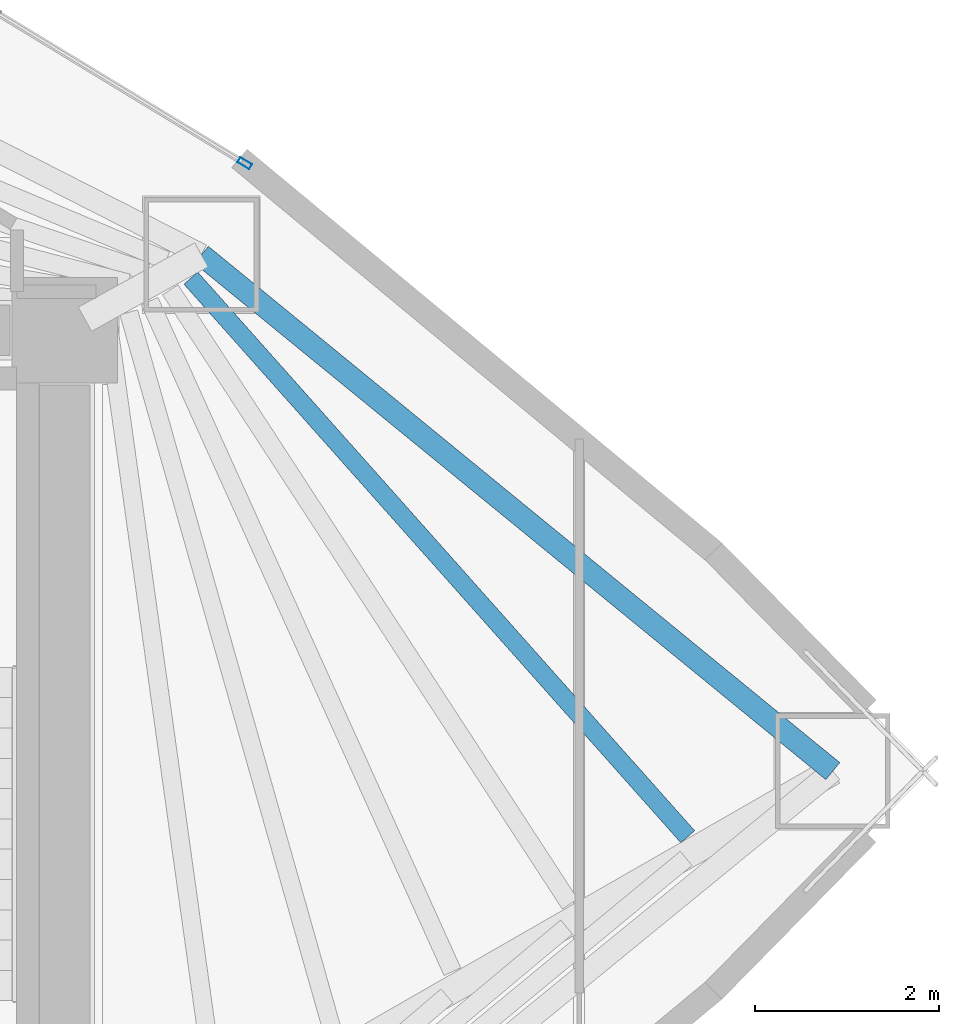
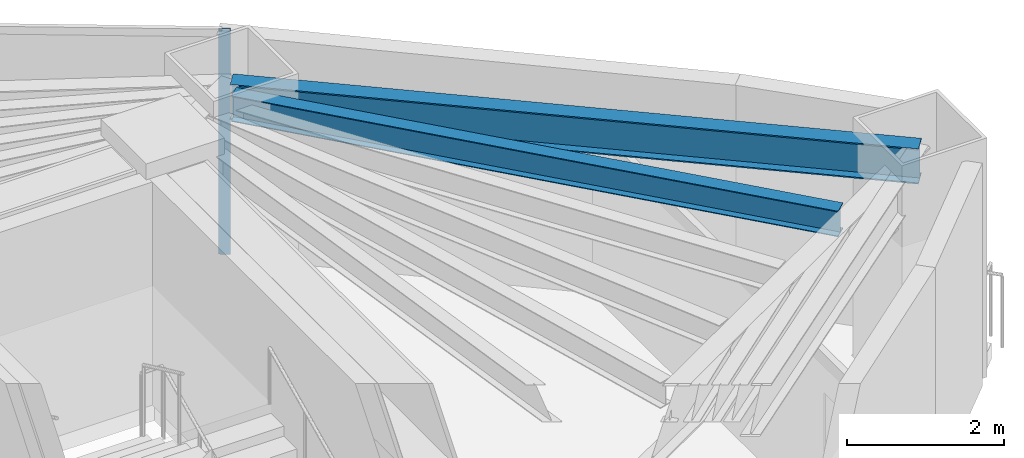
# One storey, part 12 of 18: 2 beams, 1 member, 1 element without a shape of its own.
"""IFC4 building model written with IfcOpenShell, lengths in metres."""

import ifcopenshell
import ifcopenshell.guid

model = None  # the IFC model being written
_history = None  # IfcOwnerHistory: only IFC2X3 demands one
_inside = {}  # id of a spatial element -> (the spatial element, [elements in it])
_under = {}  # id of a project, library or spatial element -> (it, [spatial elements below it])
_declared = {}  # id of a project -> (the project, [libraries it declares])
_typed = {}  # id of a type object -> (the type object, [elements of that type])
_made_of = {}  # id of a material, layer set ... -> (it, [elements and type objects made of it])


def new_model(schema):
    """Start an empty IFC model of exactly this schema.

    Asked for "IFC4X3", IfcOpenShell would pick the latest addendum, in which some entities
    have other attributes; the version numbers below select the first issue.
    IFC2X3 requires an IfcOwnerHistory on every rooted entity: one is made here for all.
    """
    global model, _history
    if schema == "IFC4X3":
        model = ifcopenshell.file(schema_version=(4, 3, 0, 0))
    else:
        model = ifcopenshell.file(schema=schema)
    _inside.clear()
    _under.clear()
    _declared.clear()
    _typed.clear()
    _made_of.clear()
    _history = None
    if model.schema == "IFC2X3":
        org = make("IfcOrganization", Name="unknown")
        user = make(
            "IfcPersonAndOrganization",
            ThePerson=make("IfcPerson", FamilyName="unknown"),
            TheOrganization=org,
        )
        app = make(
            "IfcApplication",
            ApplicationDeveloper=org,
            Version="unknown",
            ApplicationFullName="unknown",
            ApplicationIdentifier="unknown",
        )
        _history = make(
            "IfcOwnerHistory",
            OwningUser=user,
            OwningApplication=app,
            ChangeAction="ADDED",
            CreationDate=0,
        )
    return model


def make(cls, **values):
    """One entity of the class cls with the attributes given. An attribute that is None is left unset."""
    return model.create_entity(
        cls, **{name: value for name, value in values.items() if value is not None}
    )


def rooted(cls, **values):
    """An entity with a GlobalId (a new one), such as an element, a storey or a relation."""
    return make(cls, GlobalId=ifcopenshell.guid.new(), OwnerHistory=_history, **values)


def si_unit(unit_type, name, prefix=None):
    """IfcSIUnit, for example si_unit("LENGTHUNIT", "METRE", prefix="MILLI")."""
    return make("IfcSIUnit", UnitType=unit_type, Prefix=prefix, Name=name)


def assignment(units):
    """IfcUnitAssignment: the units of a project."""
    return None if units is None else make("IfcUnitAssignment", Units=units)


def point(xyz):
    """IfcCartesianPoint."""
    return None if xyz is None else make("IfcCartesianPoint", Coordinates=xyz)


def direction(xyz):
    """IfcDirection."""
    return None if xyz is None else make("IfcDirection", DirectionRatios=xyz)


def frame(location, z_axis=None, x_axis=None):
    """IfcAxis2Placement3D, a coordinate frame: its origin and axes. An axis left out is left unset."""
    return make(
        "IfcAxis2Placement3D",
        Location=point(location),
        Axis=direction(z_axis),
        RefDirection=direction(x_axis),
    )


def frame_2d(location, x_axis=None):
    """IfcAxis2Placement2D, a coordinate frame in the plane: its origin and x axis."""
    return make(
        "IfcAxis2Placement2D", Location=point(location), RefDirection=direction(x_axis)
    )


def origin():
    """The frame at (0, 0, 0) with its axes left unset."""
    return frame((0.0, 0.0, 0.0))


def origin_2d():
    """The frame at (0, 0) in the plane with its x axis left unset."""
    return frame_2d((0.0, 0.0))


def place(relative_to, where):
    """IfcLocalPlacement: puts the frame where relative to a parent placement (None: the world)."""
    return make(
        "IfcLocalPlacement", PlacementRelTo=relative_to, RelativePlacement=where
    )


def context(
    kind, dimensions, precision=None, world=None, true_north=None, identifier=None
):
    """IfcGeometricRepresentationContext, for example the 3D "Model" context."""
    return make(
        "IfcGeometricRepresentationContext",
        ContextIdentifier=identifier,
        ContextType=kind,
        CoordinateSpaceDimension=dimensions,
        Precision=precision,
        WorldCoordinateSystem=world,
        TrueNorth=true_north,
    )


def subcontext(parent, identifier, kind, view, scale=None):
    """IfcGeometricRepresentationSubContext, for example "Body" below "Model"."""
    return make(
        "IfcGeometricRepresentationSubContext",
        ContextIdentifier=identifier,
        ContextType=kind,
        ParentContext=parent,
        TargetScale=scale,
        TargetView=view,
    )


def project(units=None, contexts=None):
    """IfcProject with its units and contexts."""
    return rooted(
        "IfcProject",
        Name="project",
        RepresentationContexts=contexts,
        UnitsInContext=assignment(units),
    )


def spatial(cls, under=None, at=None, **own):
    """A site, building, storey or space (cls), placed at a placement, below another one or the project."""
    s = rooted(cls, ObjectPlacement=at, **own)
    if under is not None:
        _under.setdefault(under.id(), (under, []))[1].append(s)
    return s


def profile(cls, at=None, kind="AREA", **sizes):
    """A parametric profile (cls). Its sizes go by their IFC names, for example OverallWidth=200.0."""
    return make(cls, ProfileType=kind, Position=at, **sizes)


def hollow_rectangle(**sizes):
    """IfcRectangleHollowProfileDef."""
    return profile("IfcRectangleHollowProfileDef", **sizes)


def i_section(**sizes):
    """IfcIShapeProfileDef."""
    return profile("IfcIShapeProfileDef", **sizes)


def extrude(swept, where, along, depth):
    """IfcExtrudedAreaSolid: the profile swept, set in the frame where, extruded along a direction by depth."""
    return make(
        "IfcExtrudedAreaSolid",
        SweptArea=swept,
        Position=where,
        ExtrudedDirection=direction(along),
        Depth=depth,
    )


def shape(context_of_items, identifier, shape_type, items):
    """IfcShapeRepresentation: the items that make up one representation, for example the "Body"."""
    return make(
        "IfcShapeRepresentation",
        ContextOfItems=context_of_items,
        RepresentationIdentifier=identifier,
        RepresentationType=shape_type,
        Items=items,
    )


def material(Name=None, Category=None):
    """IfcMaterial."""
    return make("IfcMaterial", Name=Name, Category=Category)


def layer(
    of_material, thickness, ventilated=None, Name=None, Category=None, Priority=None
):
    """IfcMaterialLayer: one layer of a wall or slab, of a material (None: an air gap)."""
    return make(
        "IfcMaterialLayer",
        Material=of_material,
        LayerThickness=thickness,
        IsVentilated=ventilated,
        Name=Name,
        Category=Category,
        Priority=Priority,
    )


def layer_set(layers, Name=None):
    """IfcMaterialLayerSet."""
    return make("IfcMaterialLayerSet", MaterialLayers=layers, LayerSetName=Name)


def material_profile(
    of_material, cross_section, Name=None, Category=None, Priority=None
):
    """IfcMaterialProfile: a cross section and its material."""
    return make(
        "IfcMaterialProfile",
        Name=Name,
        Material=of_material,
        Profile=cross_section,
        Priority=Priority,
        Category=Category,
    )


def profile_set(profiles, Name=None, composite=None):
    """IfcMaterialProfileSet."""
    return make(
        "IfcMaterialProfileSet",
        Name=Name,
        MaterialProfiles=profiles,
        CompositeProfile=composite,
    )


def made_of(thing, what):
    """Note that an element or type object is made of a material, layer set ...; save() writes the relation."""
    if what is not None:
        _made_of.setdefault(what.id(), (what, []))[1].append(thing)
    return thing


def type_object(cls, material=None, **own):
    """A type object (cls), such as IfcWallType, which elements share."""
    return made_of(rooted(cls, **own), material)


def element(
    cls,
    number,
    at=None,
    inside=None,
    cuts=None,
    type_object=None,
    material=None,
    context=None,
    identifier="Body",
    shape_type=None,
    held_by="IfcProductDefinitionShape",
    body=None,
    shapes=None,
    **own,
):
    """One element of the class cls, such as IfcWall. Its Tag is "e" and its number.

    at: its placement. inside: the storey or other place that contains it. cuts: it is an
    opening in that element (IfcRelVoidsElement). A single representation is given by context,
    identifier, shape_type and body (its items); several are given by shapes. held_by: the class
    of the entity that holds the representations. save() writes the other relations.
    """
    e = rooted(cls, Tag="e%d" % number, ObjectPlacement=at, **own)
    if body is not None:
        shapes = [shape(context, identifier, shape_type, body)]
    if shapes is not None:
        e.Representation = make(held_by, Representations=shapes)
    if inside is not None:
        _inside.setdefault(inside.id(), (inside, []))[1].append(e)
    if cuts is not None:
        rooted(
            "IfcRelVoidsElement", RelatingBuildingElement=cuts, RelatedOpeningElement=e
        )
    if type_object is not None:
        _typed.setdefault(type_object.id(), (type_object, []))[1].append(e)
    return made_of(e, material)


def aggregate(whole, parts):
    """IfcRelAggregates: a whole, such as a stair, and the parts it consists of."""
    return rooted("IfcRelAggregates", RelatingObject=whole, RelatedObjects=parts)


def save(model, path):
    """Write the relations noted so far, then the file.

    IfcRelAggregates (storeys below a building ...), IfcRelContainedInSpatialStructure (elements
    in a storey), IfcRelDefinesByType, IfcRelAssociatesMaterial and IfcRelDeclares: one each for
    every whole, place, type object, material and project.
    """
    for whole, parts in _under.values():
        aggregate(whole, parts)
    for where, things in _inside.values():
        rooted(
            "IfcRelContainedInSpatialStructure",
            RelatedElements=things,
            RelatingStructure=where,
        )
    for kind, things in _typed.values():
        rooted("IfcRelDefinesByType", RelatedObjects=things, RelatingType=kind)
    for what, things in _made_of.values():
        rooted("IfcRelAssociatesMaterial", RelatedObjects=things, RelatingMaterial=what)
    for by, libraries in _declared.values():
        rooted("IfcRelDeclares", RelatingContext=by, RelatedDefinitions=libraries)
    model.write(path)


model = new_model("IFC4")

# Units and contexts
model_context = context("Model", 3, precision=1e-05, world=origin(), true_north=direction((0.0, 1.0)))
body_context = subcontext(model_context, "Body", "Model", "MODEL_VIEW")
ifc_project = project(units=[si_unit("LENGTHUNIT", "METRE"), si_unit("AREAUNIT", "SQUARE_METRE"), si_unit("VOLUMEUNIT", "CUBIC_METRE"), si_unit("PLANEANGLEUNIT", "RADIAN"), si_unit("MASSUNIT", "GRAM", prefix="KILO")], contexts=[model_context])

# Site, building, storey
site_placement = place(None, origin())
site = spatial("IfcSite", under=ifc_project, at=site_placement, CompositionType="ELEMENT")
building_placement = place(site_placement, origin())
building = spatial("IfcBuilding", under=site, at=building_placement, Name="Menara Vayukalpa", CompositionType="ELEMENT")
storey_placement = place(building_placement, frame((0.0, 0.0, 130.02001953125)))
storey = spatial("IfcBuildingStorey", under=building, at=storey_placement, Name="L32", CompositionType="ELEMENT", Elevation=130.02001953125)

# Beams
ifc_material_1 = material(Name="Steel S355", Category="steel")
ifc_material_profile_1 = material_profile(ifc_material_1, i_section(OverallWidth=0.199951171875, OverallDepth=0.39990234375, WebThickness=0.008056640625, FlangeThickness=0.012939453125, at=origin_2d()), Name="WF 400x200x8x13")
ifc_profile_set_1 = profile_set([ifc_material_profile_1], Name="Steel S355")
beam_type_1 = type_object("IfcBeamType", Name="BM-SJ2", PredefinedType="JOIST", material=ifc_profile_set_1)
beam_1_placement = place(storey_placement, frame((40.182861328125, 21.285400390625, 3.27001953125), z_axis=(-0.664656003625, 0.747149514384, 0.0), x_axis=(-0.747149514384, -0.664656003625, 0.0)))
element("IfcBeam", 1, at=beam_1_placement, inside=storey, type_object=beam_type_1, Name="L32 Secondary Floor Joist SJ01-5", PredefinedType="JOIST", context=body_context, shape_type="SweptSolid", body=[
    extrude(i_section(OverallWidth=0.199951171875, OverallDepth=0.39990234375, WebThickness=0.008056640625, FlangeThickness=0.012939453125, at=origin_2d()), origin(), (0.0, 0.0, 1.0), 8.1416015625),
])
ifc_material_2 = material(Name="Steel S355", Category="steel")
ifc_material_profile_2 = material_profile(ifc_material_2, i_section(OverallWidth=0.239990234375, OverallDepth=0.550048828125, WebThickness=0.010986328125, FlangeThickness=0.01904296875, at=origin_2d()), Name="WF 550x240x11x19")
ifc_profile_set_2 = profile_set([ifc_material_profile_2], Name="Steel S355")
beam_type_2 = type_object("IfcBeamType", Name="BM-SP2", PredefinedType="SPANDREL", material=ifc_profile_set_2)
beam_2_placement = place(storey_placement, frame((41.761962890625, 22.0, 3.195068359375), z_axis=(-0.774156906301, 0.632993747541, 0.0), x_axis=(-0.632993747541, -0.774156906301, 0.0)))
element("IfcBeam", 2, at=beam_2_placement, inside=storey, type_object=beam_type_2, Name="L32 Perimeter Spandrel Beam SP01", PredefinedType="SPANDREL", context=body_context, shape_type="SweptSolid", body=[
    extrude(i_section(OverallWidth=0.239990234375, OverallDepth=0.550048828125, WebThickness=0.010986328125, FlangeThickness=0.01904296875, at=origin_2d()), origin(), (0.0, 0.0, 1.0), 8.880859375),
])

# Curtain wall, member
ifc_material_3 = material(Name="Anodised Terracotta Aluminium Alloy 6063-T6", Category="masonry")
ifc_layer = layer(ifc_material_3, 0.14990234375)
ifc_layer_set = layer_set([ifc_layer], Name="Anodised Terracotta Aluminium Alloy 6063-T6")
curtain_wall_type = type_object("IfcCurtainWallType", Name="CW-CW3", PredefinedType="USERDEFINED", material=ifc_layer_set)
curtain_wall_placement = place(storey_placement, origin())
curtain_wall = element("IfcCurtainWall", 3, at=curtain_wall_placement, inside=storey, type_object=curtain_wall_type, Name="L32 Mid Rise Terracotta Ribbon Curtain Wall CW3 04", ObjectType="UNITISED", PredefinedType="USERDEFINED")
ifc_material_4 = material(Name="Anodised Terracotta Aluminium Alloy 6063-T6", Category="masonry")
ifc_material_profile_3 = material_profile(ifc_material_4, hollow_rectangle(XDim=0.06494140625, YDim=0.14990234375, WallThickness=0.00341796875, at=origin_2d()), Name="ALU 65x150x3.5")
ifc_profile_set_3 = profile_set([ifc_material_profile_3], Name="Anodised Terracotta Aluminium Alloy 6063-T6")
member_type = type_object("IfcMemberType", Name="CWM-CW3", PredefinedType="MULLION", material=ifc_profile_set_3)
member_placement = place(storey_placement, frame((35.358154296875, 28.61865234375, 0.0), z_axis=(0.0, 0.0, 1.0), x_axis=(-0.519182959112, -0.854663123674, 0.0)))
member = element("IfcMember", 4, at=member_placement, type_object=member_type, Name="CW3 mullion 1", PredefinedType="MULLION", context=body_context, shape_type="SweptSolid", body=[
    extrude(hollow_rectangle(XDim=0.06494140625, YDim=0.14990234375, WallThickness=0.00341796875, at=origin_2d()), origin(), (0.0, 0.0, 1.0), 3.469970703125),
])
aggregate(curtain_wall, [member])

save(model, "model.ifc")
